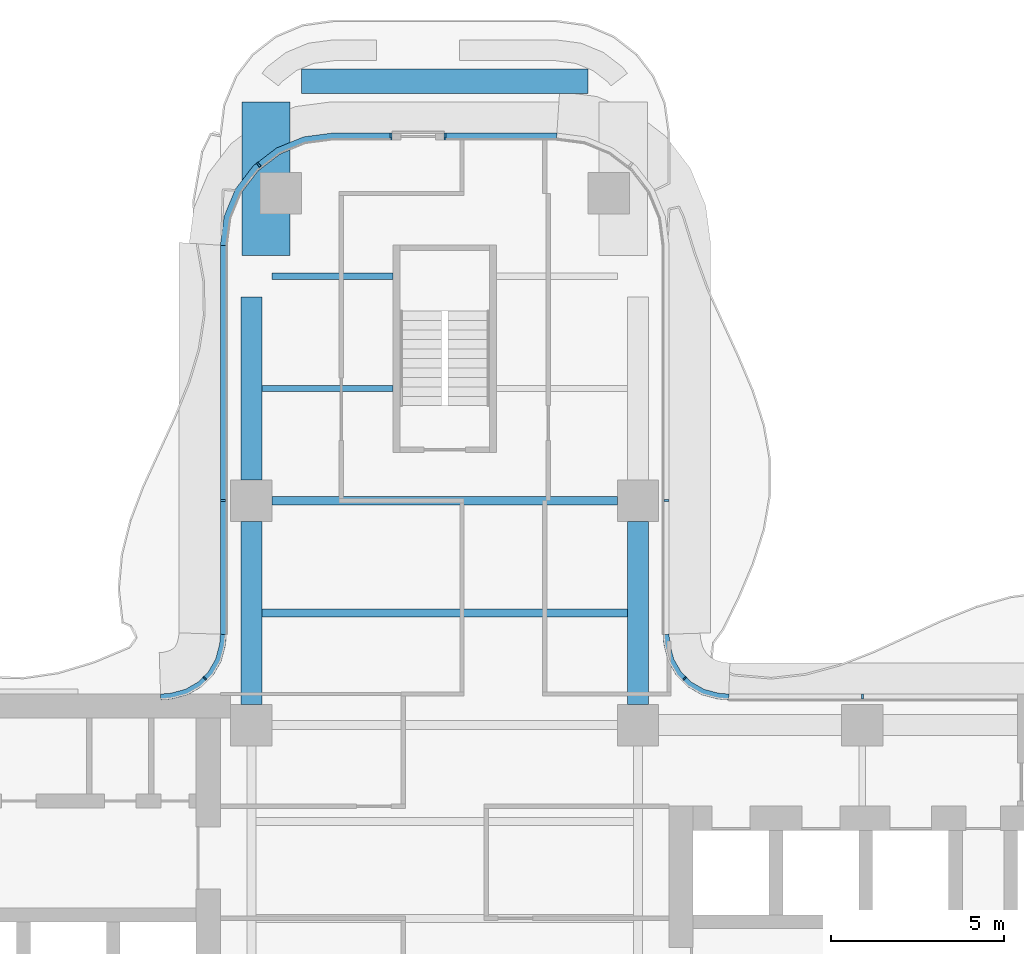
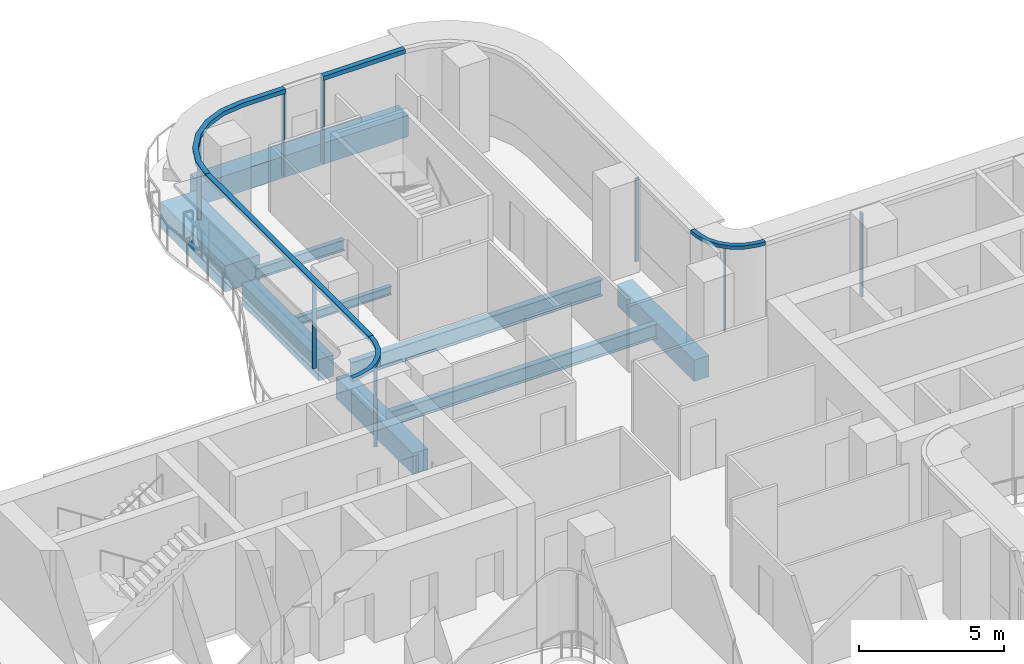
# One storey, part 7 of 17: 13 members, 9 beams, 7 elements without a shape of their own.
"""IFC4 building model written with IfcOpenShell, lengths in metres."""

from ifc_helpers import new_model, si_unit, direction, frame, origin, origin_2d, place, context, subcontext, project, spatial, polyline, rectangle, i_section, outline, extrude, source, transform, mapped, material, layer, layer_set, material_profile, profile_set, type_object, element, aggregate, save


model = new_model("IFC4")

# Units and contexts
model_context = context("Model", 3, precision=1e-05, world=origin(), true_north=direction((0.0, 1.0)))
body_context = subcontext(model_context, "Body", "Model", "MODEL_VIEW")
ifc_project = project(units=[si_unit("LENGTHUNIT", "METRE"), si_unit("AREAUNIT", "SQUARE_METRE"), si_unit("VOLUMEUNIT", "CUBIC_METRE"), si_unit("PLANEANGLEUNIT", "RADIAN"), si_unit("MASSUNIT", "GRAM", prefix="KILO")], contexts=[model_context])

# Site, building, storey
site_placement = place(None, origin())
site = spatial("IfcSite", under=ifc_project, at=site_placement, CompositionType="ELEMENT")
building_placement = place(site_placement, origin())
building = spatial("IfcBuilding", under=site, at=building_placement, Name="Trellis Farm Tower", CompositionType="ELEMENT")
storey_placement = place(building_placement, frame((0.0, 0.0, 185.39990234375)))
storey = spatial("IfcBuildingStorey", under=building, at=storey_placement, Name="L40", CompositionType="ELEMENT", Elevation=185.39990234375)

# Curtain wall, member
ifc_material_1 = material(Name="Aluminium and glass curtain wall", Category="aluminium")
ifc_layer_1 = layer(ifc_material_1, 0.18994140625)
ifc_layer_set_1 = layer_set([ifc_layer_1], Name="RIBBON CURTAIN WALL CW1")
curtain_wall_type_1 = type_object("IfcCurtainWallType", Name="RIBBON CURTAIN WALL CW1", PredefinedType="NOTDEFINED", material=ifc_layer_set_1)
placement_1 = place(storey_placement, origin())
curtain_wall_1 = element("IfcCurtainWall", 1, at=placement_1, inside=storey, type_object=curtain_wall_type_1, Name="CW1 010", PredefinedType="NOTDEFINED")
ifc_material_2 = material(Name="Aluminium extrusion 6063-T6", Category="aluminium")
ifc_layer_2 = layer(ifc_material_2, 0.199951171875)
ifc_layer_set_2 = layer_set([ifc_layer_2], Name="Aluminium extrusion 6063-T6")
member_type_1 = type_object("IfcMemberType", Name="CW1 TRANSOM 200x180", PredefinedType="USERDEFINED", material=ifc_layer_set_2)
placement_2 = place(storey_placement, frame((0.0, 0.0, 3.52001953125)))
member_1 = element("IfcMember", 2, at=placement_2, type_object=member_type_1, Name="TR1 010", ObjectType="TRANSOM", PredefinedType="USERDEFINED", context=body_context, shape_type="SweptSolid", body=[
    extrude(outline(polyline([(3.25, 22.75), (-0.02001953125, 22.75), (-0.02001953125, 22.550048828125), (3.23681640625, 22.550048828125), (3.25, 22.75)])), origin(), (0.0, 0.0, 1.0), 0.18017578125),
])

curtain_wall_2 = element("IfcCurtainWall", 3, at=placement_1, inside=storey, type_object=curtain_wall_type_1, Name="CW1 011", PredefinedType="NOTDEFINED")
member_2 = element("IfcMember", 4, at=placement_2, type_object=member_type_1, Name="TR1 011", ObjectType="TRANSOM", PredefinedType="USERDEFINED", context=body_context, shape_type="SweptSolid", body=[
    extrude(outline(polyline([(-1.52001953125, 22.75), (-3.25, 22.75), (-4.091064453125, 22.63916015625), (-4.875, 22.314697265625), (-5.548095703125, 21.798095703125), (-6.064697265625, 21.125), (-6.38916015625, 20.341064453125), (-6.5, 19.5), (-6.300048828125, 19.48681640625), (-6.1943359375, 20.2890625), (-5.889892578125, 21.024169921875), (-5.405517578125, 21.655517578125), (-4.774169921875, 22.139892578125), (-4.0390625, 22.4443359375), (-3.23681640625, 22.550048828125), (-1.52001953125, 22.550048828125), (-1.52001953125, 22.75)])), origin(), (0.0, 0.0, 1.0), 0.18017578125),
])

# Beams
ifc_material_3 = material(Name="Steel S355", Category="steel")
ifc_material_profile_1 = material_profile(ifc_material_3, i_section(OverallWidth=0.1904296875, OverallDepth=0.45703125, WebThickness=0.009033203125, FlangeThickness=0.014404296875, FilletRadius=0.01025390625, at=origin_2d()), Name="UB 457x191x74")
ifc_profile_set_1 = profile_set([ifc_material_profile_1], Name="Steel S355")
beam_type_1 = type_object("IfcBeamType", Name="UB 457x191x74", PredefinedType="BEAM", material=ifc_profile_set_1)
shared_shape_1 = source(origin(), body_context, "Body", "SweptSolid", [
    extrude(i_section(OverallWidth=0.1904296875, OverallDepth=0.45703125, WebThickness=0.009033203125, FlangeThickness=0.014404296875, FilletRadius=0.01025390625, at=origin_2d()), origin(), (0.0, 0.0, 1.0), 3.5),
])
beam_1_placement = place(storey_placement, frame((-5.0, 18.60009765625, -0.428466796875), z_axis=(1.0, 0.0, 0.0), x_axis=(0.0, 1.0, 0.0)))
element("IfcBeam", 5, at=beam_1_placement, inside=storey, type_object=beam_type_1, Name="Girder", PredefinedType="BEAM", context=body_context, shape_type="MappedRepresentation", body=[
    mapped(shared_shape_1, transform((0.0, 0.0, 0.0))),
])
ifc_material_4 = material(Name="Concrete C60/75", Category="concrete")
ifc_material_profile_2 = material_profile(ifc_material_4, rectangle(XDim=0.60009765625, YDim=0.89990234375, at=origin_2d()), Name="RC spandrel beam 600x900 C60/75")
ifc_profile_set_2 = profile_set([ifc_material_profile_2], Name="Concrete C60/75")
beam_type_2 = type_object("IfcBeamType", Name="RC spandrel beam 600x900 C60/75", PredefinedType="SPANDREL", material=ifc_profile_set_2)
shared_shape_2 = source(origin(), body_context, "Body", "SweptSolid", [
    extrude(rectangle(XDim=0.60009765625, YDim=0.89990234375, at=origin_2d()), origin(), (0.0, 0.0, 1.0), 5.300048828125),
])
for number, where, z_axis, x_axis, name in (
    (6, (-5.60009765625, 6.199951171875, -0.64990234375), (0.0, 1.0, 0.0), (-1.0, 0.0, 0.0), "Girder"),
    (7, (-5.60009765625, 12.699951171875, -0.64990234375), (0.0, 1.0, 0.0), (-1.0, 0.0, 0.0), "Girder"),
    (8, (5.60009765625, 6.199951171875, -0.64990234375), (0.0, 1.0, 0.0), (-1.0, 0.0, 0.0), "Girder"),
):
    element("IfcBeam", number, at=place(storey_placement, frame(where, z_axis=z_axis, x_axis=x_axis)), inside=storey, type_object=beam_type_2, Name=name, PredefinedType="SPANDREL", context=body_context, shape_type="MappedRepresentation", body=[
        mapped(shared_shape_2, transform((0.0, 0.0, 0.0))),
    ])
ifc_material_profile_3 = material_profile(ifc_material_3, i_section(OverallWidth=0.253662109375, OverallDepth=0.68359375, WebThickness=0.012451171875, FlangeThickness=0.021728515625, FilletRadius=0.01513671875, at=origin_2d()), Name="UB 686x254x140")
ifc_profile_set_3 = profile_set([ifc_material_profile_3], Name="Steel S355")
beam_type_3 = type_object("IfcBeamType", Name="UB 686x254x140", PredefinedType="BEAM", material=ifc_profile_set_3)
shared_shape_3 = source(origin(), body_context, "Body", "SweptSolid", [
    extrude(i_section(OverallWidth=0.253662109375, OverallDepth=0.68359375, WebThickness=0.012451171875, FlangeThickness=0.021728515625, FilletRadius=0.01513671875, at=origin_2d()), origin(), (0.0, 0.0, 1.0), 10.0),
])
beam_2_placement = place(storey_placement, frame((-5.0, 12.10009765625, -0.54150390625), z_axis=(1.0, 0.0, 0.0), x_axis=(0.0, 1.0, 0.0)))
element("IfcBeam", 9, at=beam_2_placement, inside=storey, type_object=beam_type_3, Name="Girder", PredefinedType="BEAM", context=body_context, shape_type="MappedRepresentation", body=[
    mapped(shared_shape_3, transform((0.0, 0.0, 0.0))),
])
ifc_material_5 = material(Name="Concrete C80/95", Category="concrete")
ifc_material_profile_4 = material_profile(ifc_material_5, rectangle(XDim=1.39990234375, YDim=1.10009765625, at=origin_2d()), Name="RC transfer beam 1400x1100 C80/95")
ifc_profile_set_4 = profile_set([ifc_material_profile_4], Name="Concrete C80/95")
beam_type_4 = type_object("IfcBeamType", Name="RC transfer beam 1400x1100 C80/95", PredefinedType="BEAM", material=ifc_profile_set_4)
shared_shape_4 = source(origin(), body_context, "Body", "SweptSolid", [
    extrude(rectangle(XDim=1.39990234375, YDim=1.10009765625, at=origin_2d()), origin(), (0.0, 0.0, 1.0), 4.449951171875),
])
beam_3_placement = place(storey_placement, frame((-5.175048828125, 19.199951171875, -0.75), z_axis=(0.0, 1.0, 0.0), x_axis=(-1.0, 0.0, 0.0)))
element("IfcBeam", 10, at=beam_3_placement, inside=storey, type_object=beam_type_4, Name="Transfer girder", PredefinedType="BEAM", context=body_context, shape_type="MappedRepresentation", body=[
    mapped(shared_shape_4, transform((0.0, 0.0, 0.0))),
])
ifc_material_profile_5 = material_profile(ifc_material_4, rectangle(XDim=0.699951171875, YDim=0.89990234375, at=origin_2d()), Name="RC spandrel beam 700x900 C60/75")
ifc_profile_set_5 = profile_set([ifc_material_profile_5], Name="Concrete C60/75")
beam_type_5 = type_object("IfcBeamType", Name="RC spandrel beam 700x900 C60/75", PredefinedType="SPANDREL", material=ifc_profile_set_5)
shared_shape_5 = source(origin(), body_context, "Body", "SweptSolid", [
    extrude(rectangle(XDim=0.699951171875, YDim=0.89990234375, at=origin_2d()), origin(), (0.0, 0.0, 1.0), 8.2998046875),
])
beam_4_placement = place(storey_placement, frame((-4.14990234375, 24.25, -0.64990234375), z_axis=(1.0, 0.0, 0.0), x_axis=(0.0, 1.0, 0.0)))
element("IfcBeam", 11, at=beam_4_placement, inside=storey, type_object=beam_type_5, Name="Girder", PredefinedType="SPANDREL", context=body_context, shape_type="MappedRepresentation", body=[
    mapped(shared_shape_5, transform((0.0, 0.0, 0.0))),
])
ifc_material_profile_6 = material_profile(ifc_material_3, i_section(OverallWidth=0.17138671875, OverallDepth=0.35498046875, WebThickness=0.00732421875, FlangeThickness=0.011474609375, FilletRadius=0.01025390625, at=origin_2d()), Name="UB 356x171x51")
ifc_profile_set_6 = profile_set([ifc_material_profile_6], Name="Steel S355")
beam_type_6 = type_object("IfcBeamType", Name="UB 356x171x51 joist", PredefinedType="JOIST", material=ifc_profile_set_6)
shared_shape_6 = source(origin(), body_context, "Body", "SweptSolid", [
    extrude(i_section(OverallWidth=0.17138671875, OverallDepth=0.35498046875, WebThickness=0.00732421875, FlangeThickness=0.011474609375, FilletRadius=0.01025390625, at=origin_2d()), origin(), (0.0, 0.0, 1.0), 3.800048828125),
])
beam_5_placement = place(storey_placement, frame((-5.300048828125, 15.35009765625, -0.37744140625), z_axis=(1.0, 0.0, 0.0), x_axis=(0.0, 1.0, 0.0)))
element("IfcBeam", 12, at=beam_5_placement, inside=storey, type_object=beam_type_6, Name="Floor beam", PredefinedType="JOIST", context=body_context, shape_type="MappedRepresentation", body=[
    mapped(shared_shape_6, transform((0.0, 0.0, 0.0))),
])
ifc_material_profile_7 = material_profile(ifc_material_3, i_section(OverallWidth=0.22900390625, OverallDepth=0.6123046875, WebThickness=0.011962890625, FlangeThickness=0.01953125, FilletRadius=0.0126953125, at=origin_2d()), Name="UB 610x229x125")
ifc_profile_set_7 = profile_set([ifc_material_profile_7], Name="Steel S355")
beam_type_7 = type_object("IfcBeamType", Name="UB 610x229x125 joist", PredefinedType="JOIST", material=ifc_profile_set_7)
shared_shape_7 = source(origin(), body_context, "Body", "SweptSolid", [
    extrude(i_section(OverallWidth=0.22900390625, OverallDepth=0.6123046875, WebThickness=0.011962890625, FlangeThickness=0.01953125, FilletRadius=0.0126953125, at=origin_2d()), origin(), (0.0, 0.0, 1.0), 10.60009765625),
])
beam_6_placement = place(storey_placement, frame((-5.300048828125, 8.85009765625, -0.506103515625), z_axis=(1.0, 0.0, 0.0), x_axis=(0.0, 1.0, 0.0)))
element("IfcBeam", 13, at=beam_6_placement, inside=storey, type_object=beam_type_7, Name="Floor beam", PredefinedType="JOIST", context=body_context, shape_type="MappedRepresentation", body=[
    mapped(shared_shape_7, transform((0.0, 0.0, 0.0))),
])

# Curtain wall, member
curtain_wall_3 = element("IfcCurtainWall", 14, at=placement_1, inside=storey, type_object=curtain_wall_type_1, Name="CW1 008", PredefinedType="NOTDEFINED")
ifc_material_profile_8 = material_profile(ifc_material_2, rectangle(XDim=0.06005859375, YDim=0.14990234375, at=origin_2d()), Name="MULLION 60x150")
ifc_profile_set_8 = profile_set([ifc_material_profile_8], Name="Aluminium extrusion 6063-T6")
member_type_2 = type_object("IfcMemberType", Name="CW1 MULLION 60x150", PredefinedType="MULLION", material=ifc_profile_set_8)
shared_shape_8 = source(origin(), body_context, "Body", "SweptSolid", [
    extrude(rectangle(XDim=0.06005859375, YDim=0.14990234375, at=origin_2d()), origin(), (0.0, 0.0, 1.0), 3.52001953125),
])
member_3_placement = place(storey_placement, frame((12.10009765625, 6.425048828125, 0.0), z_axis=(0.0, 0.0, 1.0), x_axis=(-1.0, 0.0, 0.0)))
member_3 = element("IfcMember", 15, at=member_3_placement, type_object=member_type_2, Name="MU1 008-02", PredefinedType="MULLION", context=body_context, shape_type="MappedRepresentation", body=[
    mapped(shared_shape_8, transform((0.0, 0.0, 0.0))),
])
aggregate(curtain_wall_3, [member_3])

curtain_wall_4 = element("IfcCurtainWall", 16, at=placement_1, inside=storey, type_object=curtain_wall_type_1, Name="CW1 009", PredefinedType="NOTDEFINED")
member_4_placement = place(storey_placement, frame((6.425048828125, 12.10009765625, 0.0), z_axis=(0.0, 0.0, 1.0), x_axis=(0.0, 1.0, 0.0)))
member_4 = element("IfcMember", 17, at=member_4_placement, type_object=member_type_2, Name="MU1 009-01", PredefinedType="MULLION", context=body_context, shape_type="MappedRepresentation", body=[
    mapped(shared_shape_8, transform((0.0, 0.0, 0.0))),
])
aggregate(curtain_wall_4, [member_4])

# Member
member_5_placement = place(storey_placement, frame((0.010009765625, 22.675048828125, 0.0), z_axis=(0.0, 0.0, 1.0), x_axis=(-1.0, 0.0, 0.0)))
member_5 = element("IfcMember", 18, at=member_5_placement, type_object=member_type_2, Name="MU1 010-01", PredefinedType="MULLION", context=body_context, shape_type="MappedRepresentation", body=[
    mapped(shared_shape_8, transform((0.0, 0.0, 0.0))),
])

aggregate(curtain_wall_1, [member_5, member_1])

member_6_placement = place(storey_placement, frame((-1.550048828125, 22.675048828125, 0.0), z_axis=(0.0, 0.0, 1.0), x_axis=(-1.0, 0.0, 0.0)))
member_6 = element("IfcMember", 19, at=member_6_placement, type_object=member_type_2, Name="MU1 011-01", PredefinedType="MULLION", context=body_context, shape_type="MappedRepresentation", body=[
    mapped(shared_shape_8, transform((0.0, 0.0, 0.0))),
])

member_7_placement = place(storey_placement, frame((-5.385498046875, 21.828369140625, 0.0), z_axis=(0.0, 0.0, 1.0), x_axis=(-0.793353340291, -0.608761429009, 0.0)))
member_7 = element("IfcMember", 20, at=member_7_placement, type_object=member_type_2, Name="MU1 011-02", PredefinedType="MULLION", context=body_context, shape_type="MappedRepresentation", body=[
    mapped(shared_shape_8, transform((0.0, 0.0, 0.0))),
])

aggregate(curtain_wall_2, [member_6, member_7, member_2])

# Curtain wall, member
curtain_wall_5 = element("IfcCurtainWall", 21, at=placement_1, inside=storey, type_object=curtain_wall_type_1, Name="CW1 012", PredefinedType="NOTDEFINED")
member_8_placement = place(storey_placement, frame((-6.425048828125, 12.10009765625, 0.0), z_axis=(0.0, 0.0, 1.0), x_axis=(0.0, -1.0, 0.0)))
member_8 = element("IfcMember", 22, at=member_8_placement, type_object=member_type_2, Name="MU1 012-01", PredefinedType="MULLION", context=body_context, shape_type="MappedRepresentation", body=[
    mapped(shared_shape_8, transform((0.0, 0.0, 0.0))),
])

ifc_layer_3 = layer(ifc_material_1, 0.166015625)
ifc_layer_set_3 = layer_set([ifc_layer_3], Name="WINTER GARDEN CURTAIN WALL CW3")
curtain_wall_type_2 = type_object("IfcCurtainWallType", Name="WINTER GARDEN CURTAIN WALL CW3", PredefinedType="NOTDEFINED", material=ifc_layer_set_3)
curtain_wall_6 = element("IfcCurtainWall", 23, at=placement_1, inside=storey, type_object=curtain_wall_type_2, Name="CW3 003", PredefinedType="NOTDEFINED")
ifc_material_profile_9 = material_profile(ifc_material_2, rectangle(XDim=0.050048828125, YDim=0.1201171875, at=origin_2d()), Name="MULLION 50x120")
ifc_profile_set_9 = profile_set([ifc_material_profile_9], Name="Aluminium extrusion 6063-T6")
member_type_3 = type_object("IfcMemberType", Name="CW3 MULLION 50x120", PredefinedType="MULLION", material=ifc_profile_set_9)
shared_shape_9 = source(origin(), body_context, "Body", "SweptSolid", [
    extrude(rectangle(XDim=0.050048828125, YDim=0.1201171875, at=origin_2d()), origin(), (0.0, 0.0, 1.0), 3.550048828125),
])
member_9_placement = place(storey_placement, frame((6.953125, 6.953125, 0.0), z_axis=(0.0, 0.0, 1.0), x_axis=(-0.707106781187, 0.707106781187, 0.0)))
member_9 = element("IfcMember", 24, at=member_9_placement, type_object=member_type_3, Name="MU3 003-01", PredefinedType="MULLION", context=body_context, shape_type="MappedRepresentation", body=[
    mapped(shared_shape_9, transform((0.0, 0.0, 0.0))),
])

curtain_wall_7 = element("IfcCurtainWall", 25, at=placement_1, inside=storey, type_object=curtain_wall_type_2, Name="CW3 004", PredefinedType="NOTDEFINED")
member_10_placement = place(storey_placement, frame((-6.953125, 6.953125, 0.0), z_axis=(0.0, 0.0, 1.0), x_axis=(-0.707106781187, -0.707106781187, 0.0)))
member_10 = element("IfcMember", 26, at=member_10_placement, type_object=member_type_3, Name="MU3 004-01", PredefinedType="MULLION", context=body_context, shape_type="MappedRepresentation", body=[
    mapped(shared_shape_9, transform((0.0, 0.0, 0.0))),
])

# Member
ifc_layer_4 = layer(ifc_material_2, 0.169921875)
ifc_layer_set_4 = layer_set([ifc_layer_4], Name="Aluminium extrusion 6063-T6")
member_type_4 = type_object("IfcMemberType", Name="CW3 TRANSOM 170x150", PredefinedType="USERDEFINED", material=ifc_layer_set_4)
shared_shape_10 = source(origin(), body_context, "Body", "SweptSolid", [
    extrude(outline(polyline([(8.2314453125, 6.5), (8.01953125, 6.513916015625), (7.91552734375, 6.527587890625), (7.508544921875, 6.63671875), (7.144287109375, 6.846923828125), (6.846923828125, 7.144287109375), (6.63671875, 7.508544921875), (6.527587890625, 7.91552734375), (6.513916015625, 8.01953125), (6.5, 8.2314453125), (6.330078125, 8.225830078125), (6.3447265625, 8.0029296875), (6.360595703125, 7.88232421875), (6.478271484375, 7.44287109375), (6.7109375, 7.0400390625), (7.0400390625, 6.7109375), (7.44287109375, 6.478271484375), (7.88232421875, 6.360595703125), (8.0029296875, 6.3447265625), (8.225830078125, 6.330078125), (8.2314453125, 6.5)])), origin(), (0.0, 0.0, 1.0), 0.150146484375),
])
placement_3 = place(storey_placement, frame((0.0, 0.0, 3.550048828125)))
member_11 = element("IfcMember", 27, at=placement_3, type_object=member_type_4, Name="TR3 003", ObjectType="TRANSOM", PredefinedType="USERDEFINED", context=body_context, shape_type="MappedRepresentation", body=[
    mapped(shared_shape_10, transform((0.0, 0.0, 0.0))),
])

aggregate(curtain_wall_6, [member_9, member_11])

shared_shape_11 = source(origin(), body_context, "Body", "SweptSolid", [
    extrude(outline(polyline([(-6.5, 8.2314453125), (-6.513916015625, 8.01953125), (-6.527587890625, 7.91552734375), (-6.63671875, 7.508544921875), (-6.846923828125, 7.144287109375), (-7.144287109375, 6.846923828125), (-7.508544921875, 6.63671875), (-7.91552734375, 6.527587890625), (-8.01953125, 6.513916015625), (-8.2314453125, 6.5), (-8.225830078125, 6.330078125), (-8.0029296875, 6.3447265625), (-7.88232421875, 6.360595703125), (-7.44287109375, 6.478271484375), (-7.0400390625, 6.7109375), (-6.7109375, 7.0400390625), (-6.478271484375, 7.44287109375), (-6.360595703125, 7.88232421875), (-6.3447265625, 8.0029296875), (-6.330078125, 8.225830078125), (-6.5, 8.2314453125)])), origin(), (0.0, 0.0, 1.0), 0.150146484375),
])
member_12 = element("IfcMember", 28, at=placement_3, type_object=member_type_4, Name="TR3 004", ObjectType="TRANSOM", PredefinedType="USERDEFINED", context=body_context, shape_type="MappedRepresentation", body=[
    mapped(shared_shape_11, transform((0.0, 0.0, 0.0))),
])

aggregate(curtain_wall_7, [member_10, member_12])

shared_shape_12 = source(origin(), body_context, "Body", "SweptSolid", [
    extrude(outline(polyline([(-6.5, 19.5), (-6.5, 8.2314453125), (-6.300048828125, 8.224853515625), (-6.300048828125, 19.48681640625), (-6.5, 19.5)])), origin(), (0.0, 0.0, 1.0), 0.18017578125),
])
member_13 = element("IfcMember", 29, at=placement_2, type_object=member_type_1, Name="TR1 012", ObjectType="TRANSOM", PredefinedType="USERDEFINED", context=body_context, shape_type="MappedRepresentation", body=[
    mapped(shared_shape_12, transform((0.0, 0.0, 0.0))),
])

aggregate(curtain_wall_5, [member_8, member_13])

save(model, "model.ifc")
